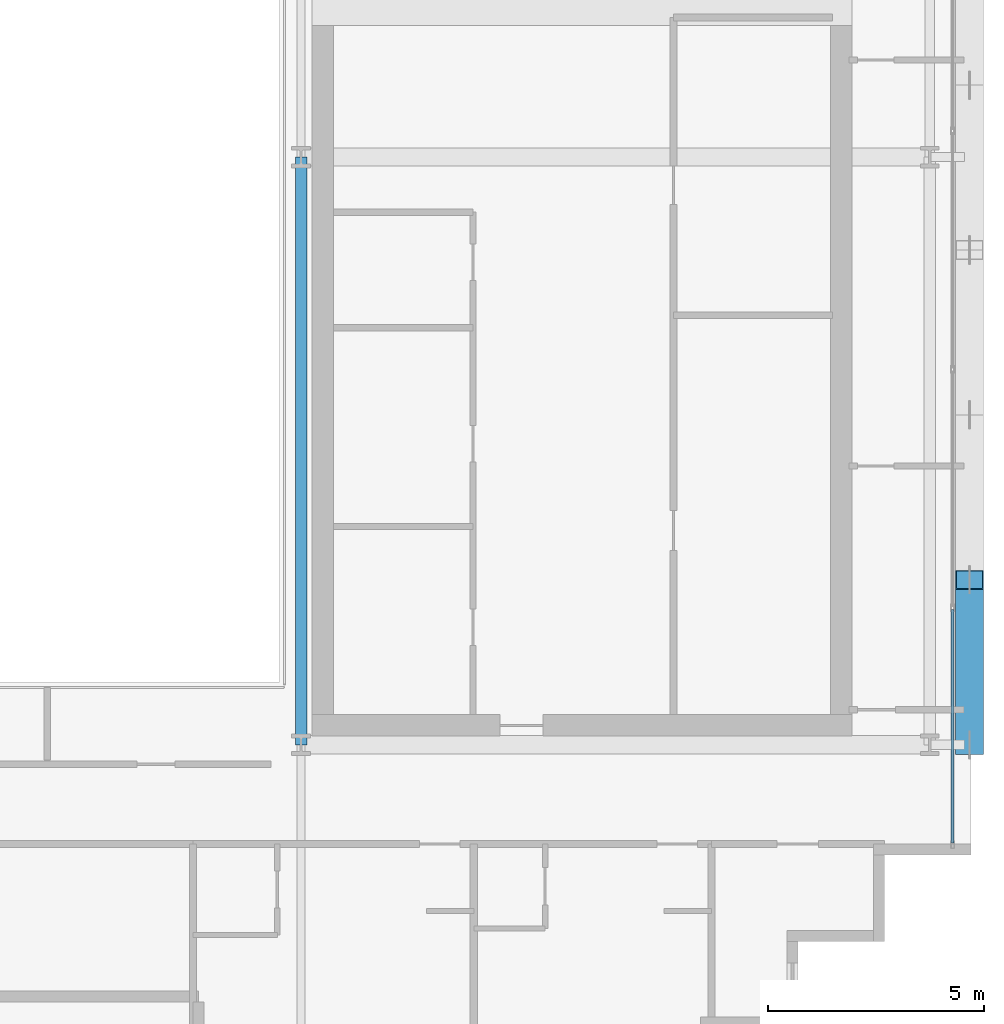
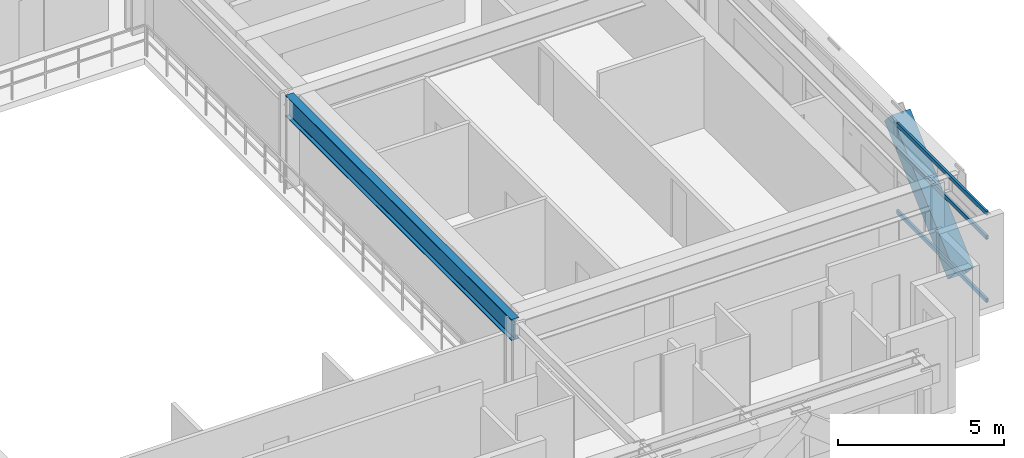
# One storey, part 11 of 32: 4 members, 1 beam, 1 element without a shape of its own.
"""IFC4 building model written with IfcOpenShell, lengths in metres."""

from ifc_helpers import new_model, si_unit, direction, frame, origin, origin_2d, place, context, subcontext, project, spatial, hollow_rectangle, i_section, extrude, source, transform, mapped, material, layer, layer_set, material_profile, profile_set, type_object, element, aggregate, save


model = new_model("IFC4")

# Units and contexts
model_context = context("Model", 3, precision=1e-05, world=origin(), true_north=direction((0.0, 1.0)))
body_context = subcontext(model_context, "Body", "Model", "MODEL_VIEW")
ifc_project = project(units=[si_unit("LENGTHUNIT", "METRE"), si_unit("AREAUNIT", "SQUARE_METRE"), si_unit("VOLUMEUNIT", "CUBIC_METRE"), si_unit("PLANEANGLEUNIT", "RADIAN"), si_unit("MASSUNIT", "GRAM", prefix="KILO")], contexts=[model_context])

# Site, building, storey
site_placement = place(None, origin())
site = spatial("IfcSite", under=ifc_project, at=site_placement, CompositionType="ELEMENT")
building_placement = place(site_placement, origin())
building = spatial("IfcBuilding", under=site, at=building_placement, Name="Ocotamira Hotel", CompositionType="ELEMENT")
storey_placement = place(building_placement, frame((0.0, 0.0, 217.199951171875)))
storey = spatial("IfcBuildingStorey", under=building, at=storey_placement, Name="L55", CompositionType="ELEMENT", Elevation=217.199951171875)

# Beam
ifc_material_1 = material(Name="Steel ASTM A992 Grade 50", Category="steel")
ifc_material_profile_1 = material_profile(ifc_material_1, i_section(OverallWidth=0.26611328125, OverallDepth=0.779052734375, WebThickness=0.0166015625, FlangeThickness=0.030029296875, FilletRadius=0.01806640625, at=origin_2d()), Name="W30X148")
ifc_profile_set_1 = profile_set([ifc_material_profile_1], Name="Steel ASTM A992 Grade 50")
beam_type = type_object("IfcBeamType", Name="BM-GIRD-W30X148", PredefinedType="BEAM", material=ifc_profile_set_1)
shared_shape_1 = source(origin(), body_context, "Body", "SweptSolid", [
    extrude(i_section(OverallWidth=0.26611328125, OverallDepth=0.779052734375, WebThickness=0.0166015625, FlangeThickness=0.030029296875, FilletRadius=0.01806640625, at=origin_2d()), origin(), (0.0, 0.0, 1.0), 13.599853515625),
])
beam_placement = place(storey_placement, frame((40.5, 14.550048828125, 2.890625), z_axis=(0.0, 1.0, 0.0), x_axis=(-1.0, 0.0, 0.0)))
element("IfcBeam", 1, at=beam_placement, inside=storey, type_object=beam_type, Name="L55 Beam X40.5 Y14.55-28.15", PredefinedType="BEAM", context=body_context, shape_type="MappedRepresentation", body=[
    mapped(shared_shape_1, transform((0.0, 0.0, 0.0), scale=1.0)),
])

# Member
ifc_material_2 = material(Name="Pale-metal coated steel ASTM A913 Grade 65", Category="steel")
ifc_material_profile_2 = material_profile(ifc_material_2, hollow_rectangle(XDim=0.64990234375, YDim=0.64990234375, WallThickness=0.02197265625, at=origin_2d()), Name="BOX650X650X22")
ifc_profile_set_2 = profile_set([ifc_material_profile_2], Name="Pale-metal coated steel ASTM A913 Grade 65")
member_type_1 = type_object("IfcMemberType", Name="MEM-EXO-BOX650", PredefinedType="BRACE", material=ifc_profile_set_2)
shared_shape_2 = source(origin(), body_context, "Body", "SweptSolid", [
    extrude(hollow_rectangle(XDim=0.64990234375, YDim=0.64990234375, WallThickness=0.02197265625, at=origin_2d()), origin(), (0.0, 0.0, 1.0), 5.185302734375),
])
member_1_placement = place(storey_placement, frame((55.969970703125, 14.550048828125, -0.47998046875), z_axis=(0.0, 0.736056745537, 0.6769198382), x_axis=(-1.0, 0.0, 0.0)))
element("IfcMember", 2, at=member_1_placement, inside=storey, type_object=member_type_1, Name="L55 Exoskeleton Diagrid E0.1", PredefinedType="BRACE", context=body_context, shape_type="MappedRepresentation", body=[
    mapped(shared_shape_2, transform((0.0, 0.0, 0.0), scale=1.0)),
])

# Curtain wall, members
ifc_material_3 = material(Name="Anodised pale-metal aluminium and solar glass", Category="aluminium")
ifc_layer = layer(ifc_material_3, 0.199951171875)
ifc_layer_set = layer_set([ifc_layer], Name="Anodised pale-metal aluminium and solar glass")
curtain_wall_type = type_object("IfcCurtainWallType", Name="CW-SYS4-Z3", PredefinedType="NOTDEFINED", material=ifc_layer_set)
curtain_wall_placement = place(storey_placement, origin())
curtain_wall = element("IfcCurtainWall", 3, at=curtain_wall_placement, inside=storey, type_object=curtain_wall_type, Name="L55 Curtain Wall CW-4 CW-L55-E", PredefinedType="NOTDEFINED")
ifc_material_4 = material(Name="Anodised pale-metal aluminium 6063-T6", Category="aluminium")
ifc_material_profile_3 = material_profile(ifc_material_4, hollow_rectangle(XDim=0.074951171875, YDim=0.14990234375, WallThickness=0.006103515625, at=origin_2d()), Name="HSS150X75X6")
ifc_profile_set_3 = profile_set([ifc_material_profile_3], Name="Anodised pale-metal aluminium 6063-T6")
member_type_2 = type_object("IfcMemberType", Name="CWT-150X75", PredefinedType="USERDEFINED", material=ifc_profile_set_3)
shared_shape_3 = source(origin(), body_context, "Body", "SweptSolid", [
    extrude(hollow_rectangle(XDim=0.074951171875, YDim=0.14990234375, WallThickness=0.006103515625, at=origin_2d()), origin(), (0.0, 0.0, 1.0), 5.39990234375),
])
member_2_placement = place(storey_placement, frame((55.580078125, 12.280029296875, 0.03759765625), z_axis=(0.0, 1.0, 0.0), x_axis=(-1.0, 0.0, 0.0)))
member_2 = element("IfcMember", 4, at=member_2_placement, type_object=member_type_2, Name="CW-4 transom 1.1", ObjectType="TRANSOM", PredefinedType="USERDEFINED", context=body_context, shape_type="MappedRepresentation", body=[
    mapped(shared_shape_3, transform((0.0, 0.0, 0.0), scale=1.0)),
])
member_3_placement = place(storey_placement, frame((55.580078125, 12.280029296875, 2.35009765625), z_axis=(0.0, 1.0, 0.0), x_axis=(-1.0, 0.0, 0.0)))
member_3 = element("IfcMember", 5, at=member_3_placement, type_object=member_type_2, Name="CW-4 transom 1.2", ObjectType="TRANSOM", PredefinedType="USERDEFINED", context=body_context, shape_type="MappedRepresentation", body=[
    mapped(shared_shape_3, transform((0.0, 0.0, 0.0), scale=1.0)),
])
member_4_placement = place(storey_placement, frame((55.580078125, 12.280029296875, 3.242431640625), z_axis=(0.0, 1.0, 0.0), x_axis=(-1.0, 0.0, 0.0)))
member_4 = element("IfcMember", 6, at=member_4_placement, type_object=member_type_2, Name="CW-4 transom 1.3", ObjectType="TRANSOM", PredefinedType="USERDEFINED", context=body_context, shape_type="MappedRepresentation", body=[
    mapped(shared_shape_3, transform((0.0, 0.0, 0.0), scale=1.0)),
])
aggregate(curtain_wall, [member_2, member_3, member_4])

save(model, "model.ifc")
